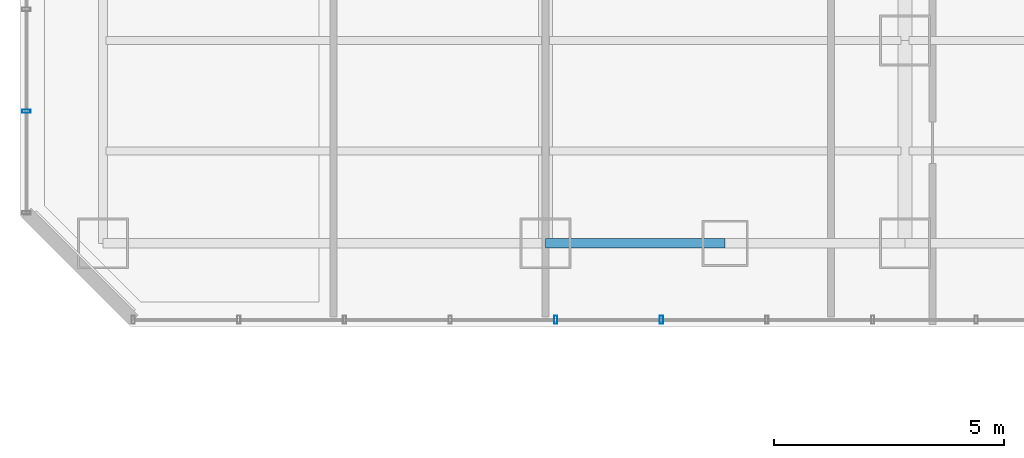
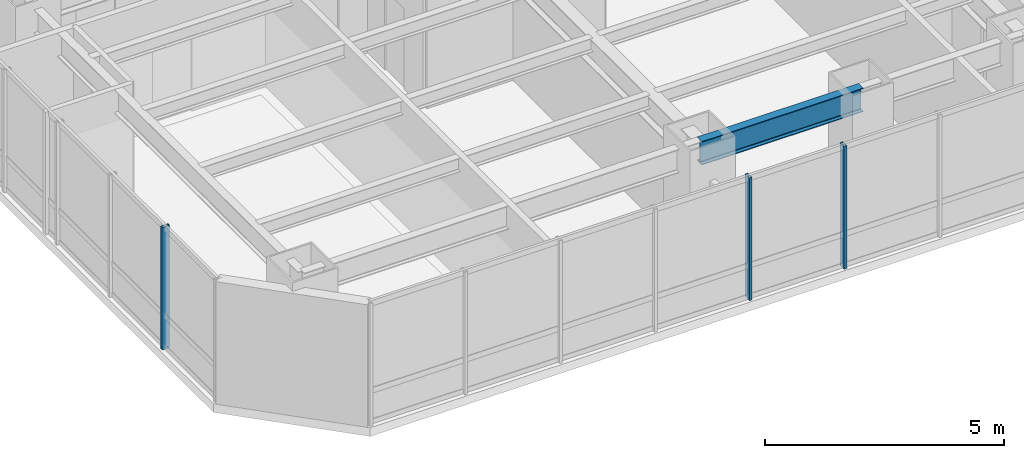
# One storey, part 4 of 38: 3 members, 1 beam, 2 elements without a shape of their own.
"""IFC4 building model written with IfcOpenShell, lengths in metres."""

from ifc_helpers import new_model, si_unit, direction, frame, origin, origin_2d, place, context, subcontext, project, spatial, hollow_rectangle, i_section, extrude, material, layer, layer_set, material_profile, profile_set, type_object, element, aggregate, save


model = new_model("IFC4")

# Units and contexts
model_context = context("Model", 3, precision=1e-05, world=origin(), true_north=direction((0.0, 1.0)))
body_context = subcontext(model_context, "Body", "Model", "MODEL_VIEW")
ifc_project = project(units=[si_unit("LENGTHUNIT", "METRE"), si_unit("AREAUNIT", "SQUARE_METRE"), si_unit("VOLUMEUNIT", "CUBIC_METRE"), si_unit("PLANEANGLEUNIT", "RADIAN"), si_unit("MASSUNIT", "GRAM", prefix="KILO")], contexts=[model_context])

# Site, building, storey
site_placement = place(None, origin())
site = spatial("IfcSite", under=ifc_project, at=site_placement, CompositionType="ELEMENT")
building_placement = place(site_placement, origin())
building = spatial("IfcBuilding", under=site, at=building_placement, Name="Hatsunagi Terrace Concourse", CompositionType="ELEMENT")
storey_placement = place(building_placement, frame((0.0, 0.0, 63.39990234375)))
storey = spatial("IfcBuildingStorey", under=building, at=storey_placement, Name="L16", CompositionType="ELEMENT", Elevation=63.39990234375)

# Curtain wall, members
ifc_material_1 = material(Name="Anodised Aluminium Alloy 6063-T5", Category="aluminium")
ifc_layer = layer(ifc_material_1, 0.199951171875)
ifc_layer_set = layer_set([ifc_layer], Name="HotelFacade_CW02")
curtain_wall_type = type_object("IfcCurtainWallType", Name="HotelFacade_CW02", PredefinedType="NOTDEFINED", material=ifc_layer_set)
curtain_wall_1_placement = place(storey_placement, origin())
curtain_wall_1 = element("IfcCurtainWall", 1, at=curtain_wall_1_placement, inside=storey, type_object=curtain_wall_type, Name="Unitised Curtain Wall CW-02 CW-L16-07", PredefinedType="NOTDEFINED")
ifc_material_2 = material(Name="Anodised Aluminium Alloy 6063-T5", Category="aluminium")
ifc_material_profile_1 = material_profile(ifc_material_2, hollow_rectangle(XDim=0.070068359375, YDim=0.179931640625, WallThickness=0.00390625, at=origin_2d()), Name="ALU-MUL-180x70x4")
ifc_profile_set_1 = profile_set([ifc_material_profile_1], Name="Anodised Aluminium Alloy 6063-T5")
member_type = type_object("IfcMemberType", Name="CurtainWallMullion_180x70", PredefinedType="MULLION", material=ifc_profile_set_1)
member_1_placement = place(storey_placement, frame((13.9169921875, 23.5400390625, 0.0), z_axis=(0.0, 0.0, 1.0), x_axis=(-1.0, 0.0, 0.0)))
member_1 = element("IfcMember", 2, at=member_1_placement, type_object=member_type, Name="Curtain Wall Mullion MUL-02", PredefinedType="MULLION", context=body_context, shape_type="SweptSolid", body=[
    extrude(hollow_rectangle(XDim=0.070068359375, YDim=0.179931640625, WallThickness=0.00390625, at=origin_2d()), origin(), (0.0, 0.0, 1.0), 3.130126953125),
])
member_2_placement = place(storey_placement, frame((11.625, 23.5400390625, 0.0), z_axis=(0.0, 0.0, 1.0), x_axis=(-1.0, 0.0, 0.0)))
member_2 = element("IfcMember", 3, at=member_2_placement, type_object=member_type, Name="Curtain Wall Mullion MUL-02", PredefinedType="MULLION", context=body_context, shape_type="SweptSolid", body=[
    extrude(hollow_rectangle(XDim=0.070068359375, YDim=0.179931640625, WallThickness=0.00390625, at=origin_2d()), origin(), (0.0, 0.0, 1.0), 3.130126953125),
])
aggregate(curtain_wall_1, [member_1, member_2])

# Curtain wall, member
curtain_wall_2_placement = place(storey_placement, origin())
curtain_wall_2 = element("IfcCurtainWall", 4, at=curtain_wall_2_placement, inside=storey, type_object=curtain_wall_type, Name="Unitised Curtain Wall CW-02 CW-L16-09", PredefinedType="NOTDEFINED")
member_3_placement = place(storey_placement, frame((0.139892578125, 28.06591796875, 0.0), z_axis=(0.0, 0.0, 1.0), x_axis=(0.0, 1.0, 0.0)))
member_3 = element("IfcMember", 5, at=member_3_placement, type_object=member_type, Name="Curtain Wall Mullion MUL-02", PredefinedType="MULLION", context=body_context, shape_type="SweptSolid", body=[
    extrude(hollow_rectangle(XDim=0.070068359375, YDim=0.179931640625, WallThickness=0.00390625, at=origin_2d()), origin(), (0.0, 0.0, 1.0), 3.130126953125),
])
aggregate(curtain_wall_2, [member_3])

# Beam
ifc_material_3 = material(Name="Steel SN490B", Category="steel")
ifc_material_profile_2 = material_profile(ifc_material_3, i_section(OverallWidth=0.199951171875, OverallDepth=0.60009765625, WebThickness=0.010986328125, FlangeThickness=0.01708984375, FilletRadius=0.01806640625, at=origin_2d()), Name="H-600x200x11x17")
ifc_profile_set_2 = profile_set([ifc_material_profile_2], Name="Steel SN490B")
beam_type = type_object("IfcBeamType", Name="PerimeterSpandrel_H_600x200", PredefinedType="SPANDREL", material=ifc_profile_set_2)
beam_placement = place(storey_placement, frame((11.39990234375, 25.199951171875, 2.830078125), z_axis=(1.0, 0.0, 0.0), x_axis=(0.0, 1.0, 0.0)))
element("IfcBeam", 6, at=beam_placement, inside=storey, type_object=beam_type, Name="Beam SP-01 BM-L16-WS-11", PredefinedType="SPANDREL", context=body_context, shape_type="SweptSolid", body=[
    extrude(i_section(OverallWidth=0.199951171875, OverallDepth=0.60009765625, WebThickness=0.010986328125, FlangeThickness=0.01708984375, FilletRadius=0.01806640625, at=origin_2d()), origin(), (0.0, 0.0, 1.0), 3.900146484375),
])

save(model, "model.ifc")
